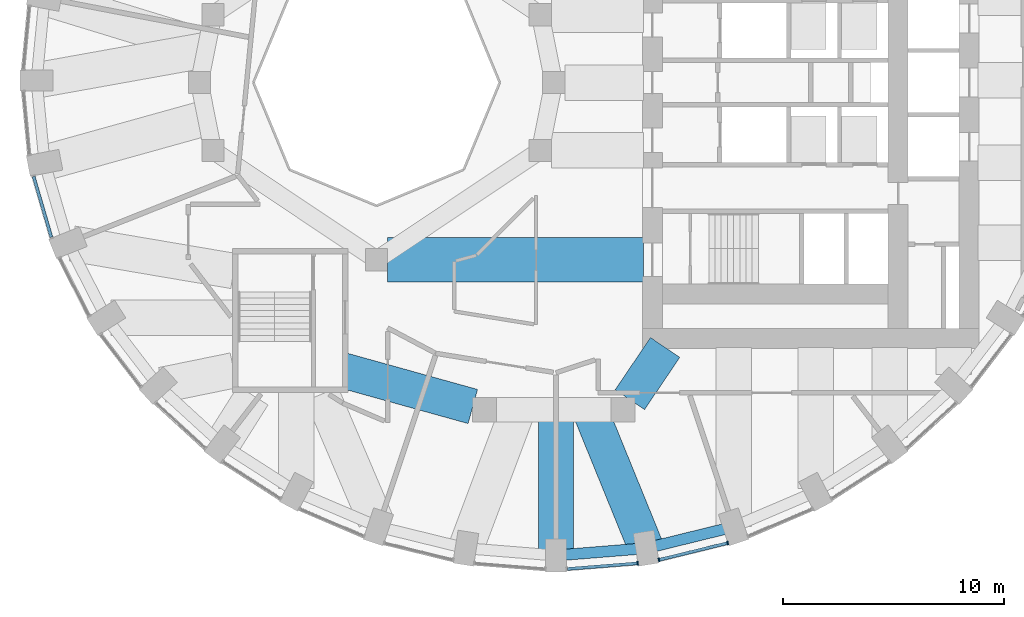
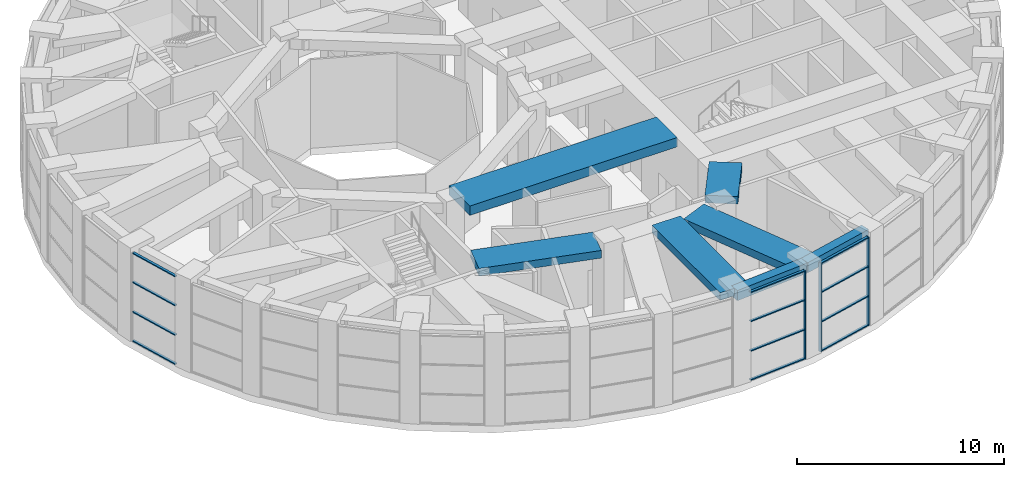
# One storey, part 3 of 17: 15 members, 7 beams, 3 elements without a shape of their own.
"""IFC4 building model written with IfcOpenShell, lengths in metres."""

from ifc_helpers import new_model, si_unit, direction, frame, origin, origin_2d, place, context, subcontext, project, spatial, rectangle, extrude, material, material_profile, profile_set, type_object, element, aggregate, save


model = new_model("IFC4")

# Units and contexts
model_context = context("Model", 3, precision=1e-05, world=origin(), true_north=direction((0.0, 1.0)))
body_context = subcontext(model_context, "Body", "Model", "MODEL_VIEW")
ifc_project = project(units=[si_unit("LENGTHUNIT", "METRE"), si_unit("AREAUNIT", "SQUARE_METRE"), si_unit("VOLUMEUNIT", "CUBIC_METRE"), si_unit("PLANEANGLEUNIT", "RADIAN"), si_unit("MASSUNIT", "GRAM", prefix="KILO")], contexts=[model_context])

# Site, building, storey
site_placement = place(None, origin())
site = spatial("IfcSite", under=ifc_project, at=site_placement, CompositionType="ELEMENT")
building_placement = place(site_placement, origin())
building = spatial("IfcBuilding", under=site, at=building_placement, Name="Taillehof Tower", CompositionType="ELEMENT")
storey_placement = place(building_placement, frame((0.0, 0.0, 139.60009765625)))
storey = spatial("IfcBuildingStorey", under=building, at=storey_placement, Name="L39", CompositionType="ELEMENT", Elevation=139.60009765625)

# Beams
ifc_material_1 = material(Name="Concrete C50/60", Category="concrete")
ifc_material_profile_1 = material_profile(ifc_material_1, rectangle(XDim=1.60009765625, YDim=0.449951171875, at=origin_2d()), Name="RC 1600x450")
ifc_profile_set_1 = profile_set([ifc_material_profile_1], Name="Concrete C50/60")
beam_type_1 = type_object("IfcBeamType", Name="Radial band beam C50/60 1600x450", PredefinedType="BEAM", material=ifc_profile_set_1)
beam_1_placement = place(storey_placement, frame((0.10009765625, -21.35009765625, 4.994873046875), z_axis=(0.0, 1.0, 0.0), x_axis=(-1.0, 0.0, 0.0)))
element("IfcBeam", 1, at=beam_1_placement, inside=storey, type_object=beam_type_1, Name="Radial band beam RB28", PredefinedType="BEAM", context=body_context, shape_type="SweptSolid", body=[
    extrude(rectangle(XDim=1.60009765625, YDim=0.449951171875, at=origin_2d()), origin(), (0.0, 0.0, 1.0), 6.577880859375),
])
beam_2_placement = place(storey_placement, frame((4.172119140625, -21.024169921875, 4.994873046875), z_axis=(-0.377207279938, 0.926128861424, 0.0), x_axis=(-0.926128861424, -0.377207279938, 0.0)))
element("IfcBeam", 2, at=beam_2_placement, inside=storey, type_object=beam_type_1, Name="Radial band beam RB29", PredefinedType="BEAM", context=body_context, shape_type="SweptSolid", body=[
    extrude(rectangle(XDim=1.60009765625, YDim=0.449951171875, at=origin_2d()), origin(), (0.0, 0.0, 1.0), 6.750732421875),
])
beam_3_placement = place(storey_placement, frame((-3.655517578125, -14.624755859375, 4.994873046875), z_axis=(-0.963459369536, 0.267854518821, 0.0), x_axis=(-0.267854518821, -0.963459369536, 0.0)))
element("IfcBeam", 3, at=beam_3_placement, inside=storey, type_object=beam_type_1, Name="Inner band beam IB214", PredefinedType="BEAM", context=body_context, shape_type="SweptSolid", body=[
    extrude(rectangle(XDim=1.60009765625, YDim=0.449951171875, at=origin_2d()), origin(), (0.0, 0.0, 1.0), 6.096923828125),
])
beam_4_placement = place(storey_placement, frame((3.433837890625, -14.31640625, 4.994873046875), z_axis=(0.560112043398, 0.828416862962, 0.0), x_axis=(-0.828416862962, 0.560112043398, 0.0)))
element("IfcBeam", 4, at=beam_4_placement, inside=storey, type_object=beam_type_1, Name="Inner band beam IB215", PredefinedType="BEAM", context=body_context, shape_type="SweptSolid", body=[
    extrude(rectangle(XDim=1.60009765625, YDim=0.449951171875, at=origin_2d()), origin(), (0.0, 0.0, 1.0), 2.84619140625),
])
ifc_material_2 = material(Name="Concrete C50/60", Category="concrete")
ifc_material_profile_2 = material_profile(ifc_material_2, rectangle(XDim=2.0, YDim=0.550048828125, at=origin_2d()), Name="RC 2000x550")
ifc_profile_set_2 = profile_set([ifc_material_profile_2], Name="Concrete C50/60")
beam_type_2 = type_object("IfcBeamType", Name="Radial band beam C50/60 2000x550", PredefinedType="BEAM", material=ifc_profile_set_2)
beam_5_placement = place(storey_placement, frame((-7.5, -8.0, 4.94482421875), z_axis=(1.0, 0.0, 0.0), x_axis=(0.0, 1.0, 0.0)))
element("IfcBeam", 5, at=beam_5_placement, inside=storey, type_object=beam_type_2, Name="Inner band beam IB113", PredefinedType="BEAM", context=body_context, shape_type="SweptSolid", body=[
    extrude(rectangle(XDim=2.0, YDim=0.550048828125, at=origin_2d()), origin(), (0.0, 0.0, 1.0), 11.550048828125),
])

# Curtain wall, member
ifc_material_3 = material(Name="Aluminium curtain wall with Clear low-emissivity double glazing", Category="aluminium")
curtain_wall_type = type_object("IfcCurtainWallType", Name="Sky lobby curtain wall", PredefinedType="USERDEFINED", material=ifc_material_3)
curtain_wall_1_placement = place(storey_placement, origin())
curtain_wall_1 = element("IfcCurtainWall", 6, at=curtain_wall_1_placement, inside=storey, type_object=curtain_wall_type, Name="Sky lobby L39 bay 28", ObjectType="WINDOW WALL", PredefinedType="USERDEFINED")
ifc_material_4 = material(Name="Aluminium mullion", Category="aluminium")
ifc_material_profile_3 = material_profile(ifc_material_4, rectangle(XDim=0.179931640625, YDim=0.06005859375, at=origin_2d()), Name="AL 60x180")
ifc_profile_set_3 = profile_set([ifc_material_profile_3], Name="Aluminium mullion")
member_type_1 = type_object("IfcMemberType", Name="Sky lobby mullion 60x180", PredefinedType="MULLION", material=ifc_profile_set_3)
member_1_placement = place(storey_placement, frame((3.790771484375, -21.704345703125, 0.0), z_axis=(0.0, 0.0, 1.0), x_axis=(-0.079781193509, 0.996812400185, 0.0)))
member_1 = element("IfcMember", 7, at=member_1_placement, type_object=member_type_1, Name="CT3C28 mullion 2", PredefinedType="MULLION", context=body_context, shape_type="SweptSolid", body=[
    extrude(rectangle(XDim=0.179931640625, YDim=0.06005859375, at=origin_2d()), origin(), (0.0, 0.0, 1.0), 5.219970703125),
])

# Curtain wall, members
curtain_wall_2_placement = place(storey_placement, origin())
curtain_wall_2 = element("IfcCurtainWall", 8, at=curtain_wall_2_placement, inside=storey, type_object=curtain_wall_type, Name="Sky lobby L39 bay 29", ObjectType="WINDOW WALL", PredefinedType="USERDEFINED")
member_2_placement = place(storey_placement, frame((4.748291015625, -21.549560546875, 0.0), z_axis=(0.0, 0.0, 1.0), x_axis=(-0.238077279402, 0.971246214424, 0.0)))
member_2 = element("IfcMember", 9, at=member_2_placement, type_object=member_type_1, Name="CT3C29 mullion 1", PredefinedType="MULLION", context=body_context, shape_type="SweptSolid", body=[
    extrude(rectangle(XDim=0.179931640625, YDim=0.06005859375, at=origin_2d()), origin(), (0.0, 0.0, 1.0), 5.219970703125),
])
member_3_placement = place(storey_placement, frame((7.853515625, -20.78857421875, 0.0), z_axis=(0.0, 0.0, 1.0), x_axis=(-0.238077279402, 0.971246214424, 0.0)))
member_3 = element("IfcMember", 10, at=member_3_placement, type_object=member_type_1, Name="CT3C29 mullion 2", PredefinedType="MULLION", context=body_context, shape_type="SweptSolid", body=[
    extrude(rectangle(XDim=0.179931640625, YDim=0.06005859375, at=origin_2d()), origin(), (0.0, 0.0, 1.0), 5.219970703125),
])

curtain_wall_3_placement = place(storey_placement, origin())
curtain_wall_3 = element("IfcCurtainWall", 11, at=curtain_wall_3_placement, inside=storey, type_object=curtain_wall_type, Name="Sky lobby L39 bay 20", ObjectType="WINDOW WALL", PredefinedType="USERDEFINED")
ifc_material_5 = material(Name="Aluminium transom", Category="aluminium")
ifc_material_profile_4 = material_profile(ifc_material_5, rectangle(XDim=0.139892578125, YDim=0.06005859375, at=origin_2d()), Name="AL 140x60")
ifc_profile_set_4 = profile_set([ifc_material_profile_4], Name="Aluminium transom")
member_type_2 = type_object("IfcMemberType", Name="Sky lobby transom 140x60", PredefinedType="USERDEFINED", material=ifc_profile_set_4)
member_4_placement = place(storey_placement, frame((-23.486328125, -4.24365234375, 0.02978515625), z_axis=(0.281127674203, -0.959670376117, 0.0), x_axis=(0.959670376117, 0.281127674203, 0.0)))
member_4 = element("IfcMember", 12, at=member_4_placement, type_object=member_type_2, Name="CT3C20 transom 1.1", ObjectType="TRANSOM", PredefinedType="USERDEFINED", context=body_context, shape_type="SweptSolid", body=[
    extrude(rectangle(XDim=0.139892578125, YDim=0.06005859375, at=origin_2d()), origin(), (0.0, 0.0, 1.0), 2.85107421875),
])
member_5_placement = place(storey_placement, frame((-23.486328125, -4.24365234375, 1.739990234375), z_axis=(0.281127674203, -0.959670376117, 0.0), x_axis=(0.959670376117, 0.281127674203, 0.0)))
member_5 = element("IfcMember", 13, at=member_5_placement, type_object=member_type_2, Name="CT3C20 transom 1.2", ObjectType="TRANSOM", PredefinedType="USERDEFINED", context=body_context, shape_type="SweptSolid", body=[
    extrude(rectangle(XDim=0.139892578125, YDim=0.06005859375, at=origin_2d()), origin(), (0.0, 0.0, 1.0), 2.85107421875),
])
member_6_placement = place(storey_placement, frame((-23.486328125, -4.24365234375, 3.47998046875), z_axis=(0.281127674203, -0.959670376117, 0.0), x_axis=(0.959670376117, 0.281127674203, 0.0)))
member_6 = element("IfcMember", 14, at=member_6_placement, type_object=member_type_2, Name="CT3C20 transom 1.3", ObjectType="TRANSOM", PredefinedType="USERDEFINED", context=body_context, shape_type="SweptSolid", body=[
    extrude(rectangle(XDim=0.139892578125, YDim=0.06005859375, at=origin_2d()), origin(), (0.0, 0.0, 1.0), 2.85107421875),
])
member_7_placement = place(storey_placement, frame((-23.486328125, -4.24365234375, 5.18994140625), z_axis=(0.281127674203, -0.959670376117, 0.0), x_axis=(0.959670376117, 0.281127674203, 0.0)))
member_7 = element("IfcMember", 15, at=member_7_placement, type_object=member_type_2, Name="CT3C20 transom 1.4", ObjectType="TRANSOM", PredefinedType="USERDEFINED", context=body_context, shape_type="SweptSolid", body=[
    extrude(rectangle(XDim=0.139892578125, YDim=0.06005859375, at=origin_2d()), origin(), (0.0, 0.0, 1.0), 2.85107421875),
])
aggregate(curtain_wall_3, [member_4, member_5, member_6, member_7])

# Member
member_8_placement = place(storey_placement, frame((0.614990234375, -21.95849609375, 0.02978515625), z_axis=(0.996814540595, 0.079754446015, 0.0), x_axis=(-0.079754446015, 0.996814540595, 0.0)))
member_8 = element("IfcMember", 16, at=member_8_placement, type_object=member_type_2, Name="CT3C28 transom 1.1", ObjectType="TRANSOM", PredefinedType="USERDEFINED", context=body_context, shape_type="SweptSolid", body=[
    extrude(rectangle(XDim=0.139892578125, YDim=0.06005859375, at=origin_2d()), origin(), (0.0, 0.0, 1.0), 3.156005859375),
])

member_9_placement = place(storey_placement, frame((0.614990234375, -21.95849609375, 1.739990234375), z_axis=(0.996814540595, 0.079754446015, 0.0), x_axis=(-0.079754446015, 0.996814540595, 0.0)))
member_9 = element("IfcMember", 17, at=member_9_placement, type_object=member_type_2, Name="CT3C28 transom 1.2", ObjectType="TRANSOM", PredefinedType="USERDEFINED", context=body_context, shape_type="SweptSolid", body=[
    extrude(rectangle(XDim=0.139892578125, YDim=0.06005859375, at=origin_2d()), origin(), (0.0, 0.0, 1.0), 3.156005859375),
])

member_10_placement = place(storey_placement, frame((0.614990234375, -21.95849609375, 3.47998046875), z_axis=(0.996814540595, 0.079754446015, 0.0), x_axis=(-0.079754446015, 0.996814540595, 0.0)))
member_10 = element("IfcMember", 18, at=member_10_placement, type_object=member_type_2, Name="CT3C28 transom 1.3", ObjectType="TRANSOM", PredefinedType="USERDEFINED", context=body_context, shape_type="SweptSolid", body=[
    extrude(rectangle(XDim=0.139892578125, YDim=0.06005859375, at=origin_2d()), origin(), (0.0, 0.0, 1.0), 3.156005859375),
])

member_11_placement = place(storey_placement, frame((0.614990234375, -21.95849609375, 5.18994140625), z_axis=(0.996814540595, 0.079754446015, 0.0), x_axis=(-0.079754446015, 0.996814540595, 0.0)))
member_11 = element("IfcMember", 19, at=member_11_placement, type_object=member_type_2, Name="CT3C28 transom 1.4", ObjectType="TRANSOM", PredefinedType="USERDEFINED", context=body_context, shape_type="SweptSolid", body=[
    extrude(rectangle(XDim=0.139892578125, YDim=0.06005859375, at=origin_2d()), origin(), (0.0, 0.0, 1.0), 3.156005859375),
])

aggregate(curtain_wall_1, [member_1, member_8, member_9, member_10, member_11])

member_12_placement = place(storey_placement, frame((4.77734375, -21.54248046875, 0.02978515625), z_axis=(0.97125363125, 0.23804702011, 0.0), x_axis=(-0.23804702011, 0.97125363125, 0.0)))
member_12 = element("IfcMember", 20, at=member_12_placement, type_object=member_type_2, Name="CT3C29 transom 1.1", ObjectType="TRANSOM", PredefinedType="USERDEFINED", context=body_context, shape_type="SweptSolid", body=[
    extrude(rectangle(XDim=0.139892578125, YDim=0.06005859375, at=origin_2d()), origin(), (0.0, 0.0, 1.0), 3.13720703125),
])

member_13_placement = place(storey_placement, frame((4.77734375, -21.54248046875, 1.739990234375), z_axis=(0.97125363125, 0.23804702011, 0.0), x_axis=(-0.23804702011, 0.97125363125, 0.0)))
member_13 = element("IfcMember", 21, at=member_13_placement, type_object=member_type_2, Name="CT3C29 transom 1.2", ObjectType="TRANSOM", PredefinedType="USERDEFINED", context=body_context, shape_type="SweptSolid", body=[
    extrude(rectangle(XDim=0.139892578125, YDim=0.06005859375, at=origin_2d()), origin(), (0.0, 0.0, 1.0), 3.13720703125),
])

member_14_placement = place(storey_placement, frame((4.77734375, -21.54248046875, 3.47998046875), z_axis=(0.97125363125, 0.23804702011, 0.0), x_axis=(-0.23804702011, 0.97125363125, 0.0)))
member_14 = element("IfcMember", 22, at=member_14_placement, type_object=member_type_2, Name="CT3C29 transom 1.3", ObjectType="TRANSOM", PredefinedType="USERDEFINED", context=body_context, shape_type="SweptSolid", body=[
    extrude(rectangle(XDim=0.139892578125, YDim=0.06005859375, at=origin_2d()), origin(), (0.0, 0.0, 1.0), 3.13720703125),
])

member_15_placement = place(storey_placement, frame((4.77734375, -21.54248046875, 5.18994140625), z_axis=(0.97125363125, 0.23804702011, 0.0), x_axis=(-0.23804702011, 0.97125363125, 0.0)))
member_15 = element("IfcMember", 23, at=member_15_placement, type_object=member_type_2, Name="CT3C29 transom 1.4", ObjectType="TRANSOM", PredefinedType="USERDEFINED", context=body_context, shape_type="SweptSolid", body=[
    extrude(rectangle(XDim=0.139892578125, YDim=0.06005859375, at=origin_2d()), origin(), (0.0, 0.0, 1.0), 3.13720703125),
])

aggregate(curtain_wall_2, [member_2, member_3, member_12, member_13, member_14, member_15])

# Beams
ifc_material_6 = material(Name="Concrete C50/60", Category="concrete")
ifc_material_profile_5 = material_profile(ifc_material_6, rectangle(XDim=0.5, YDim=0.60009765625, at=origin_2d()), Name="RC 500x600")
ifc_profile_set_5 = profile_set([ifc_material_profile_5], Name="Concrete C50/60")
beam_type_3 = type_object("IfcBeamType", Name="Spandrel beam C50/60 500x600", PredefinedType="SPANDREL", material=ifc_profile_set_5)
beam_6_placement = place(storey_placement, frame((0.10009765625, -21.35009765625, 4.919921875), z_axis=(0.996812047205, 0.079785603634, 0.0), x_axis=(-0.079785603634, 0.996812047205, 0.0)))
element("IfcBeam", 24, at=beam_6_placement, inside=storey, type_object=beam_type_3, Name="Spandrel beam SB28", PredefinedType="SPANDREL", context=body_context, shape_type="SweptSolid", body=[
    extrude(rectangle(XDim=0.5, YDim=0.60009765625, at=origin_2d()), origin(), (0.0, 0.0, 1.0), 4.0849609375),
])
beam_7_placement = place(storey_placement, frame((4.172119140625, -21.024169921875, 4.919921875), z_axis=(0.971248584585, 0.238067610023, 0.0), x_axis=(-0.238067610023, 0.971248584585, 0.0)))
element("IfcBeam", 25, at=beam_7_placement, inside=storey, type_object=beam_type_3, Name="Spandrel beam SB29", PredefinedType="SPANDREL", context=body_context, shape_type="SweptSolid", body=[
    extrude(rectangle(XDim=0.5, YDim=0.60009765625, at=origin_2d()), origin(), (0.0, 0.0, 1.0), 4.065185546875),
])

save(model, "model.ifc")
